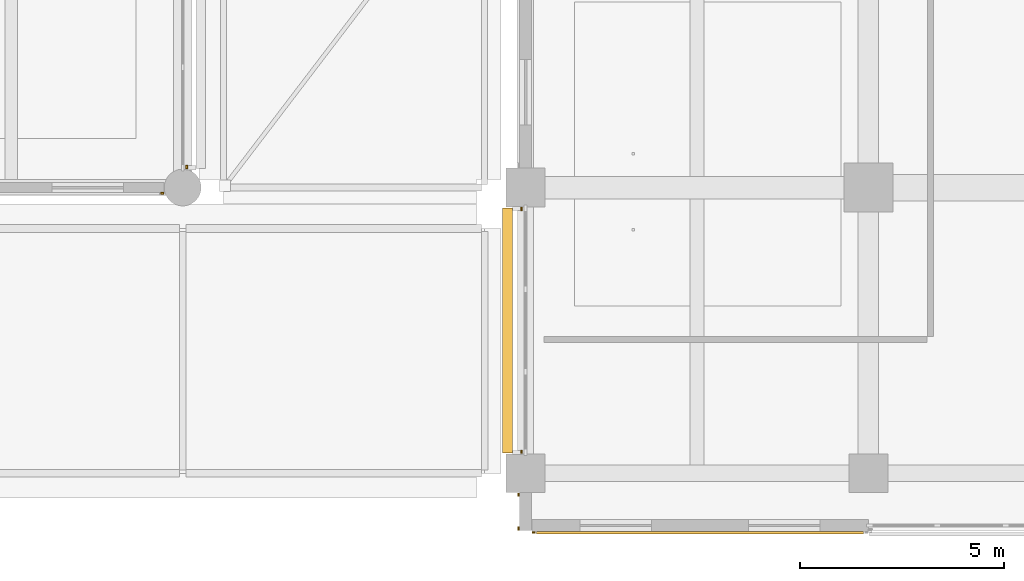
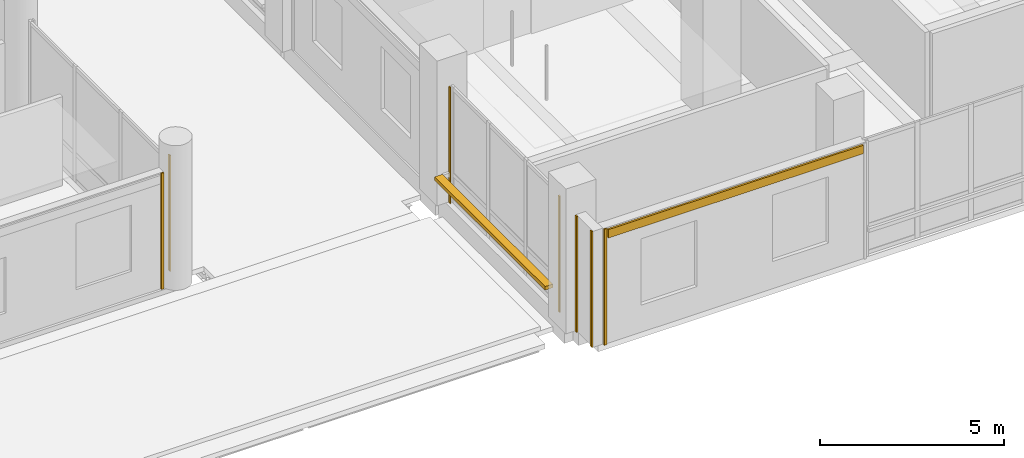
# One storey, part 90 of 128: 8 coverings, 1 shading device.
"""IFC4 building model written with IfcOpenShell, lengths in metres."""

from ifc_helpers import new_model, si_unit, direction, frame, origin, origin_2d, place, context, subcontext, project, spatial, rectangle, extrude, material, layer, layer_set, type_object, element, save


model = new_model("IFC4")

# Units and contexts
model_context = context("Model", 3, precision=1e-05, world=origin(), true_north=direction((0.0, 1.0)))
body_context = subcontext(model_context, "Body", "Model", "MODEL_VIEW")
ifc_project = project(units=[si_unit("LENGTHUNIT", "METRE"), si_unit("AREAUNIT", "SQUARE_METRE"), si_unit("VOLUMEUNIT", "CUBIC_METRE"), si_unit("PLANEANGLEUNIT", "RADIAN"), si_unit("MASSUNIT", "GRAM", prefix="KILO")], contexts=[model_context])

# Site, building, storey
site_placement = place(None, origin())
site = spatial("IfcSite", under=ifc_project, at=site_placement, CompositionType="ELEMENT")
building_placement = place(site_placement, origin())
building = spatial("IfcBuilding", under=site, at=building_placement, Name="Telukmera Botanical Conservatory", CompositionType="ELEMENT")
storey_placement = place(building_placement, frame((0.0, 0.0, 5.39990234375)))
storey = spatial("IfcBuildingStorey", under=building, at=storey_placement, Name="L01", CompositionType="ELEMENT", Elevation=5.39990234375)

# Coverings
ifc_material_1 = material(Name="Granite-faced precast concrete C40/50", Category="masonry")
ifc_layer_1 = layer(ifc_material_1, 0.0400390625)
ifc_layer_set_1 = layer_set([ifc_layer_1], Name="Granite-faced precast concrete C40/50")
covering_type_1 = type_object("IfcCoveringType", Name="Granite Precast Column Pier Reveal Casing", PredefinedType="CLADDING", material=ifc_layer_set_1)
for number, where, z_axis, x_axis, name in (
    (1, (41.498046875, 17.4599609375, 0.0), (0.0, 0.0, 1.0), (1.0, 0.0, 0.0), "Granite Pier Reveal V3:L01:S4 R"),
    (2, (42.10009765625, 18.10205078125, 0.0), (0.0, 0.0, 1.0), (0.0, 1.0, 0.0), "Granite Pier Reveal V3:L01:E1 L"),
    (3, (50.22998046875, 9.25, 0.0), (0.0, 0.0, 1.0), (0.0, 1.0, 0.0), "Granite Pier Reveal V4:L01:SWC L"),
    (4, (50.22998046875, 10.072998046875, 0.0), (0.0, 0.0, 1.0), (0.0, 1.0, 0.0), "Granite Pier Reveal V4:L01:SWC R"),
    (5, (50.60205078125, 9.14990234375, 0.0), (0.0, 0.0, 1.0), (1.0, 0.0, 0.0), "Granite Pier Reveal V4:L01:S1 L"),
    (6, (50.300048828125, 11.126953125, 0.0), (0.0, 0.0, 1.0), (0.0, 1.0, 0.0), "Granite Pier Reveal V4:L01:W1 L"),
    (7, (50.300048828125, 17.072998046875, 0.0), (0.0, 0.0, 1.0), (0.0, 1.0, 0.0), "Granite Pier Reveal V4:L01:W1 R"),
):
    element("IfcCovering", number, at=place(storey_placement, frame(where, z_axis=z_axis, x_axis=x_axis)), inside=storey, type_object=covering_type_1, Name=name, PredefinedType="CLADDING", context=body_context, shape_type="SweptSolid", body=[
        extrude(rectangle(XDim=0.080078125, YDim=0.0400390625, at=origin_2d()), origin(), (0.0, 0.0, 1.0), 3.85009765625),
    ])

# Shading device
ifc_material_2 = material(Name="Perforated terracotta-anodised aluminium 6063-T6", Category="masonry")
ifc_layer_2 = layer(ifc_material_2, 0.044921875)
ifc_layer_set_2 = layer_set([ifc_layer_2], Name="Perforated terracotta-anodised aluminium 6063-T6")
shading_device_type = type_object("IfcShadingDeviceType", Name="Perforated Terracotta Aluminium Monsoon Brise Soleil", PredefinedType="JALOUSIE", material=ifc_layer_set_2)
shading_device_placement = place(storey_placement, frame((49.9599609375, 14.10009765625, 0.89013671875), z_axis=(0.0, 0.0, 1.0), x_axis=(0.0, 1.0, 0.0)))
element("IfcShadingDevice", 8, at=shading_device_placement, inside=storey, type_object=shading_device_type, Name="Monsoon Shading BS01 V4:L01:W1", PredefinedType="JALOUSIE", context=body_context, shape_type="SweptSolid", body=[
    extrude(rectangle(XDim=6.006103515625, YDim=0.239990234375, at=origin_2d()), origin(), (0.0, 0.0, 1.0), 0.1201171875),
])

# Covering
ifc_material_3 = material(Name="Terracotta-faced precast concrete C40/50", Category="masonry")
ifc_layer_3 = layer(ifc_material_3, 0.06005859375)
ifc_layer_set_3 = layer_set([ifc_layer_3], Name="Terracotta-faced precast concrete C40/50")
covering_type_2 = type_object("IfcCoveringType", Name="Polychrome Terracotta Facade Band Cladding", PredefinedType="CLADDING", material=ifc_layer_set_3)
covering_placement = place(storey_placement, frame((54.675048828125, 9.139892578125, 3.5302734375), z_axis=(0.0, 0.0, 1.0), x_axis=(1.0, 0.0, 0.0)))
element("IfcCovering", 9, at=covering_placement, inside=storey, type_object=covering_type_2, Name="Polychrome Terracotta Band V4:L01:S1", PredefinedType="CLADDING", context=body_context, shape_type="SweptSolid", body=[
    extrude(rectangle(XDim=8.006103515625, YDim=0.06005859375, at=origin_2d()), origin(), (0.0, 0.0, 1.0), 0.280029296875),
])

save(model, "model.ifc")
